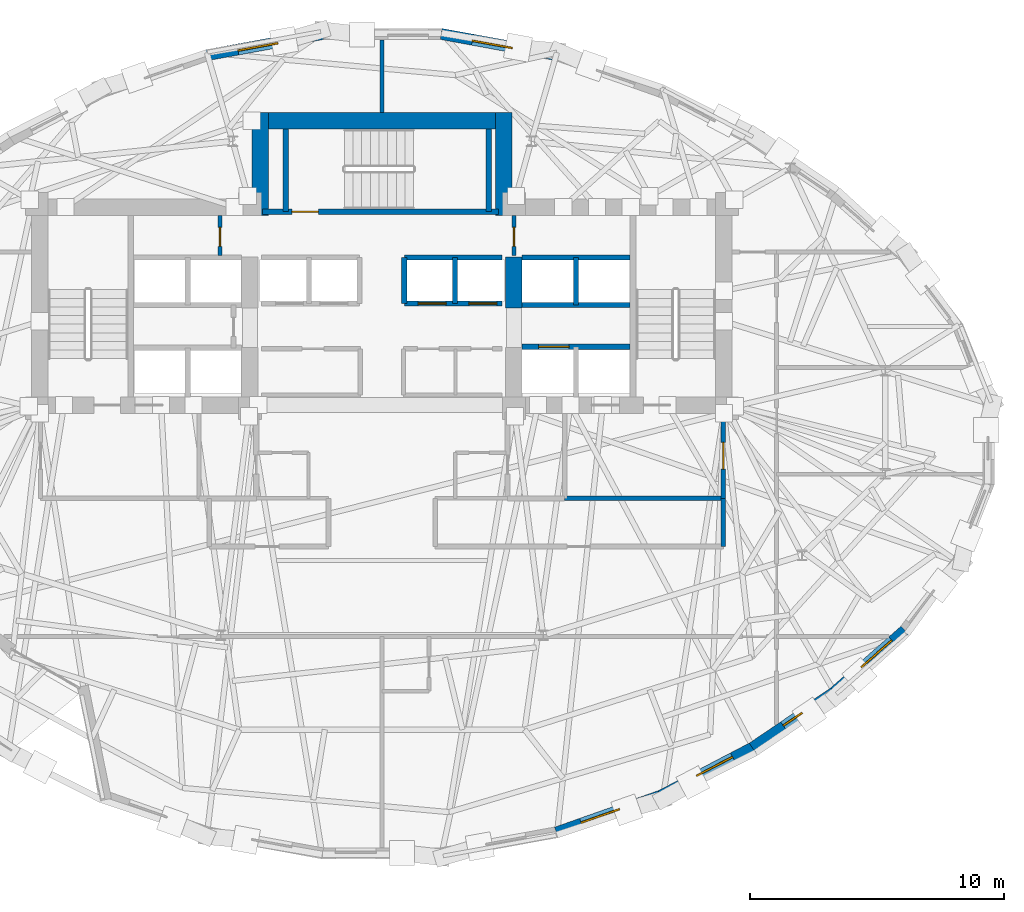
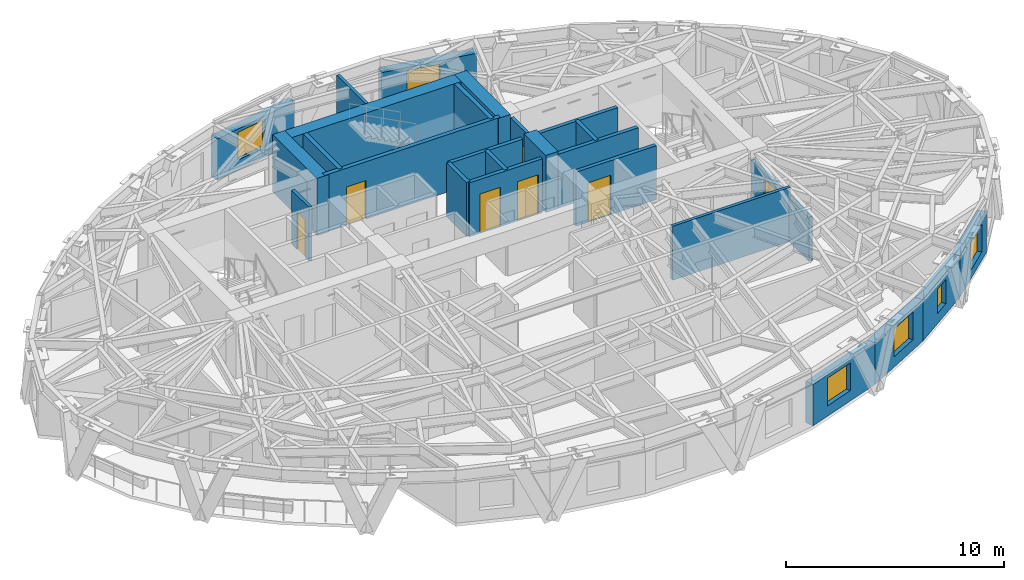
# One storey, part 9 of 15: 27 walls, 7 doors, 6 windows, 13 openings.
"""IFC4 building model written with IfcOpenShell, lengths in metres."""

import ifcopenshell
import ifcopenshell.guid

model = None  # the IFC model being written
_history = None  # IfcOwnerHistory: only IFC2X3 demands one
_inside = {}  # id of a spatial element -> (the spatial element, [elements in it])
_under = {}  # id of a project, library or spatial element -> (it, [spatial elements below it])
_declared = {}  # id of a project -> (the project, [libraries it declares])
_typed = {}  # id of a type object -> (the type object, [elements of that type])
_made_of = {}  # id of a material, layer set ... -> (it, [elements and type objects made of it])


def new_model(schema):
    """Start an empty IFC model of exactly this schema.

    Asked for "IFC4X3", IfcOpenShell would pick the latest addendum, in which some entities
    have other attributes; the version numbers below select the first issue.
    IFC2X3 requires an IfcOwnerHistory on every rooted entity: one is made here for all.
    """
    global model, _history
    if schema == "IFC4X3":
        model = ifcopenshell.file(schema_version=(4, 3, 0, 0))
    else:
        model = ifcopenshell.file(schema=schema)
    _inside.clear()
    _under.clear()
    _declared.clear()
    _typed.clear()
    _made_of.clear()
    _history = None
    if model.schema == "IFC2X3":
        org = make("IfcOrganization", Name="unknown")
        user = make(
            "IfcPersonAndOrganization",
            ThePerson=make("IfcPerson", FamilyName="unknown"),
            TheOrganization=org,
        )
        app = make(
            "IfcApplication",
            ApplicationDeveloper=org,
            Version="unknown",
            ApplicationFullName="unknown",
            ApplicationIdentifier="unknown",
        )
        _history = make(
            "IfcOwnerHistory",
            OwningUser=user,
            OwningApplication=app,
            ChangeAction="ADDED",
            CreationDate=0,
        )
    return model


def make(cls, **values):
    """One entity of the class cls with the attributes given. An attribute that is None is left unset."""
    return model.create_entity(
        cls, **{name: value for name, value in values.items() if value is not None}
    )


def rooted(cls, **values):
    """An entity with a GlobalId (a new one), such as an element, a storey or a relation."""
    return make(cls, GlobalId=ifcopenshell.guid.new(), OwnerHistory=_history, **values)


def si_unit(unit_type, name, prefix=None):
    """IfcSIUnit, for example si_unit("LENGTHUNIT", "METRE", prefix="MILLI")."""
    return make("IfcSIUnit", UnitType=unit_type, Prefix=prefix, Name=name)


def assignment(units):
    """IfcUnitAssignment: the units of a project."""
    return None if units is None else make("IfcUnitAssignment", Units=units)


def point(xyz):
    """IfcCartesianPoint."""
    return None if xyz is None else make("IfcCartesianPoint", Coordinates=xyz)


def direction(xyz):
    """IfcDirection."""
    return None if xyz is None else make("IfcDirection", DirectionRatios=xyz)


def frame(location, z_axis=None, x_axis=None):
    """IfcAxis2Placement3D, a coordinate frame: its origin and axes. An axis left out is left unset."""
    return make(
        "IfcAxis2Placement3D",
        Location=point(location),
        Axis=direction(z_axis),
        RefDirection=direction(x_axis),
    )


def frame_2d(location, x_axis=None):
    """IfcAxis2Placement2D, a coordinate frame in the plane: its origin and x axis."""
    return make(
        "IfcAxis2Placement2D", Location=point(location), RefDirection=direction(x_axis)
    )


def origin():
    """The frame at (0, 0, 0) with its axes left unset."""
    return frame((0.0, 0.0, 0.0))


def place(relative_to, where):
    """IfcLocalPlacement: puts the frame where relative to a parent placement (None: the world)."""
    return make(
        "IfcLocalPlacement", PlacementRelTo=relative_to, RelativePlacement=where
    )


def context(
    kind, dimensions, precision=None, world=None, true_north=None, identifier=None
):
    """IfcGeometricRepresentationContext, for example the 3D "Model" context."""
    return make(
        "IfcGeometricRepresentationContext",
        ContextIdentifier=identifier,
        ContextType=kind,
        CoordinateSpaceDimension=dimensions,
        Precision=precision,
        WorldCoordinateSystem=world,
        TrueNorth=true_north,
    )


def subcontext(parent, identifier, kind, view, scale=None):
    """IfcGeometricRepresentationSubContext, for example "Body" below "Model"."""
    return make(
        "IfcGeometricRepresentationSubContext",
        ContextIdentifier=identifier,
        ContextType=kind,
        ParentContext=parent,
        TargetScale=scale,
        TargetView=view,
    )


def project(units=None, contexts=None):
    """IfcProject with its units and contexts."""
    return rooted(
        "IfcProject",
        Name="project",
        RepresentationContexts=contexts,
        UnitsInContext=assignment(units),
    )


def spatial(cls, under=None, at=None, **own):
    """A site, building, storey or space (cls), placed at a placement, below another one or the project."""
    s = rooted(cls, ObjectPlacement=at, **own)
    if under is not None:
        _under.setdefault(under.id(), (under, []))[1].append(s)
    return s


def profile(cls, at=None, kind="AREA", **sizes):
    """A parametric profile (cls). Its sizes go by their IFC names, for example OverallWidth=200.0."""
    return make(cls, ProfileType=kind, Position=at, **sizes)


def rectangle(**sizes):
    """IfcRectangleProfileDef."""
    return profile("IfcRectangleProfileDef", **sizes)


def extrude(swept, where, along, depth):
    """IfcExtrudedAreaSolid: the profile swept, set in the frame where, extruded along a direction by depth."""
    return make(
        "IfcExtrudedAreaSolid",
        SweptArea=swept,
        Position=where,
        ExtrudedDirection=direction(along),
        Depth=depth,
    )


def shape(context_of_items, identifier, shape_type, items):
    """IfcShapeRepresentation: the items that make up one representation, for example the "Body"."""
    return make(
        "IfcShapeRepresentation",
        ContextOfItems=context_of_items,
        RepresentationIdentifier=identifier,
        RepresentationType=shape_type,
        Items=items,
    )


def material(Name=None, Category=None):
    """IfcMaterial."""
    return make("IfcMaterial", Name=Name, Category=Category)


def layer(
    of_material, thickness, ventilated=None, Name=None, Category=None, Priority=None
):
    """IfcMaterialLayer: one layer of a wall or slab, of a material (None: an air gap)."""
    return make(
        "IfcMaterialLayer",
        Material=of_material,
        LayerThickness=thickness,
        IsVentilated=ventilated,
        Name=Name,
        Category=Category,
        Priority=Priority,
    )


def layer_set(layers, Name=None):
    """IfcMaterialLayerSet."""
    return make("IfcMaterialLayerSet", MaterialLayers=layers, LayerSetName=Name)


def made_of(thing, what):
    """Note that an element or type object is made of a material, layer set ...; save() writes the relation."""
    if what is not None:
        _made_of.setdefault(what.id(), (what, []))[1].append(thing)
    return thing


def type_object(cls, material=None, **own):
    """A type object (cls), such as IfcWallType, which elements share."""
    return made_of(rooted(cls, **own), material)


def element(
    cls,
    number,
    at=None,
    inside=None,
    cuts=None,
    type_object=None,
    material=None,
    context=None,
    identifier="Body",
    shape_type=None,
    held_by="IfcProductDefinitionShape",
    body=None,
    shapes=None,
    **own,
):
    """One element of the class cls, such as IfcWall. Its Tag is "e" and its number.

    at: its placement. inside: the storey or other place that contains it. cuts: it is an
    opening in that element (IfcRelVoidsElement). A single representation is given by context,
    identifier, shape_type and body (its items); several are given by shapes. held_by: the class
    of the entity that holds the representations. save() writes the other relations.
    """
    e = rooted(cls, Tag="e%d" % number, ObjectPlacement=at, **own)
    if body is not None:
        shapes = [shape(context, identifier, shape_type, body)]
    if shapes is not None:
        e.Representation = make(held_by, Representations=shapes)
    if inside is not None:
        _inside.setdefault(inside.id(), (inside, []))[1].append(e)
    if cuts is not None:
        rooted(
            "IfcRelVoidsElement", RelatingBuildingElement=cuts, RelatedOpeningElement=e
        )
    if type_object is not None:
        _typed.setdefault(type_object.id(), (type_object, []))[1].append(e)
    return made_of(e, material)


def fill(opening, filler):
    """IfcRelFillsElement: the door or window that sits in an opening."""
    return rooted(
        "IfcRelFillsElement",
        RelatingOpeningElement=opening,
        RelatedBuildingElement=filler,
    )


def aggregate(whole, parts):
    """IfcRelAggregates: a whole, such as a stair, and the parts it consists of."""
    return rooted("IfcRelAggregates", RelatingObject=whole, RelatedObjects=parts)


def save(model, path):
    """Write the relations noted so far, then the file.

    IfcRelAggregates (storeys below a building ...), IfcRelContainedInSpatialStructure (elements
    in a storey), IfcRelDefinesByType, IfcRelAssociatesMaterial and IfcRelDeclares: one each for
    every whole, place, type object, material and project.
    """
    for whole, parts in _under.values():
        aggregate(whole, parts)
    for where, things in _inside.values():
        rooted(
            "IfcRelContainedInSpatialStructure",
            RelatedElements=things,
            RelatingStructure=where,
        )
    for kind, things in _typed.values():
        rooted("IfcRelDefinesByType", RelatedObjects=things, RelatingType=kind)
    for what, things in _made_of.values():
        rooted("IfcRelAssociatesMaterial", RelatedObjects=things, RelatingMaterial=what)
    for by, libraries in _declared.values():
        rooted("IfcRelDeclares", RelatingContext=by, RelatedDefinitions=libraries)
    model.write(path)


model = new_model("IFC4")

# Units and contexts
model_context = context("Model", 3, precision=1e-05, world=origin(), true_north=direction((0.0, 1.0)))
body_context = subcontext(model_context, "Body", "Model", "MODEL_VIEW")
ifc_project = project(units=[si_unit("LENGTHUNIT", "METRE"), si_unit("AREAUNIT", "SQUARE_METRE"), si_unit("VOLUMEUNIT", "CUBIC_METRE"), si_unit("PLANEANGLEUNIT", "RADIAN"), si_unit("MASSUNIT", "GRAM", prefix="KILO")], contexts=[model_context])

# Site, building, storey
site_placement = place(None, origin())
site = spatial("IfcSite", under=ifc_project, at=site_placement, CompositionType="ELEMENT")
building_placement = place(site_placement, origin())
building = spatial("IfcBuilding", under=site, at=building_placement, Name="Keldmark Tower", CompositionType="ELEMENT")
storey_placement = place(building_placement, frame((0.0, 0.0, 195.0)))
storey = spatial("IfcBuildingStorey", under=building, at=storey_placement, Name="L54", CompositionType="ELEMENT", Elevation=195.0)

# Walls
ifc_material_1 = material(Name="Heavy Acoustic Plumbing Chase Gypsum Assembly", Category="gypsum")
ifc_layer_1 = layer(ifc_material_1, 0.18994140625)
ifc_layer_set_1 = layer_set([ifc_layer_1], Name="Heavy Acoustic Plumbing Chase Gypsum Assembly")
wall_type_1 = type_object("IfcWallType", Name="Heavy Wet Wall 190 mm", PredefinedType="PLUMBINGWALL", material=ifc_layer_set_1)
wall_1_placement = place(storey_placement, frame((13.449951171875, -4.050048828125, 0.0), z_axis=(0.0, 0.0, 1.0), x_axis=(0.0, 1.0, 0.0)))
element("IfcWall", 1, at=wall_1_placement, inside=storey, type_object=wall_type_1, Name="L54 Heavy Wet Wall 190 mm SPK-E-E", PredefinedType="PLUMBINGWALL", context=body_context, shape_type="SweptSolid", body=[
    extrude(rectangle(XDim=1.900146484375, YDim=0.18994140625, at=frame_2d((0.9501953125, 0.0))), origin(), (0.0, 0.0, 1.0), 2.472900390625),
])
ifc_material_2 = material(Name="Type X Fire-Rated Gypsum Partition Assembly", Category="gypsum")
ifc_layer_2 = layer(ifc_material_2, 0.1650390625)
ifc_layer_set_2 = layer_set([ifc_layer_2], Name="Type X Fire-Rated Gypsum Partition Assembly")
wall_type_2 = type_object("IfcWallType", Name="Rated Partition 165 mm", PredefinedType="PARTITIONING", material=ifc_layer_set_2)
wall_2_placement = place(storey_placement, frame((7.199951171875, -2.14990234375, 0.0), z_axis=(0.0, 0.0, 1.0), x_axis=(1.0, 0.0, 0.0)))
element("IfcWall", 2, at=wall_2_placement, inside=storey, type_object=wall_type_2, Name="L54 Rated Partition 165 mm FSAE-E-S", PredefinedType="PARTITIONING", context=body_context, shape_type="SweptSolid", body=[
    extrude(rectangle(XDim=6.25, YDim=0.1650390625, at=frame_2d((3.125, 0.0))), origin(), (0.0, 0.0, 1.0), 3.02001953125),
])

# Wall, opening, door
wall_3_placement = place(storey_placement, frame((13.449951171875, -2.14990234375, 0.0), z_axis=(0.0, 0.0, 1.0), x_axis=(0.0, 1.0, 0.0)))
wall_3 = element("IfcWall", 3, at=wall_3_placement, inside=storey, type_object=wall_type_2, Name="L54 Rated Partition 165 mm FSAE-E-E", PredefinedType="PARTITIONING", context=body_context, shape_type="SweptSolid", body=[
    extrude(rectangle(XDim=3.39990234375, YDim=0.1650390625, at=frame_2d((1.699951171875, 0.0))), origin(), (0.0, 0.0, 1.0), 2.472900390625),
])
opening_1_placement = place(wall_3_placement, frame((1.14990234375, 0.0, 0.0)))
opening_1 = element("IfcOpeningElement", 4, at=opening_1_placement, cuts=wall_3, Name="Opening D-FL105", PredefinedType="OPENING", context=body_context, shape_type="SweptSolid", body=[
    extrude(rectangle(XDim=1.050048828125, YDim=2.14990234375, at=frame_2d((0.52490234375, 1.074951171875))), frame((0.0, 0.092529296875, 0.0), z_axis=(0.0, -1.0, 0.0), x_axis=(1.0, 0.0, 0.0)), (0.0, 0.0, 1.0), 0.18505859375),
])
ifc_material_3 = material(Name="Fire-Rated Mineral-Core Door and Vision Lite", Category="metal")
door_type_1 = type_object("IfcDoorType", Name="Fire Lobby Door 1050x2150", OperationType="NOTDEFINED", PredefinedType="DOOR", material=ifc_material_3)
door_1_placement = place(opening_1_placement, origin())
door_1 = element("IfcDoor", 5, at=door_1_placement, inside=storey, type_object=door_type_1, Name="L54 Fire Lobby Door 1050x2150 D-FSAEE-OUT-L54", OperationType="SINGLE_SWING_LEFT", OverallHeight=2.14990234375, OverallWidth=1.050048828125, PredefinedType="DOOR", context=body_context, shape_type="SweptSolid", body=[
    extrude(rectangle(XDim=1.050048828125, YDim=2.14990234375, at=frame_2d((0.52490234375, 1.074951171875))), frame((0.0, 0.02490234375, 0.0), z_axis=(0.0, -1.0, 0.0), x_axis=(1.0, 0.0, 0.0)), (0.0, 0.0, 1.0), 0.050048828125),
])
fill(opening_1, door_1)

wall_4_placement = place(storey_placement, frame((-6.3798828125, 7.419921875, 0.0), z_axis=(0.0, 0.0, 1.0), x_axis=(0.0, 1.0, 0.0)))
wall_4 = element("IfcWall", 6, at=wall_4_placement, inside=storey, type_object=wall_type_2, Name="L54 Rated Partition 165 mm CS-NW-E", PredefinedType="PARTITIONING", context=body_context, shape_type="SweptSolid", body=[
    extrude(rectangle(XDim=1.580078125, YDim=0.1650390625, at=frame_2d((0.7900390625, 0.0))), origin(), (0.0, 0.0, 1.0), 3.02001953125),
])
opening_2_placement = place(wall_4_placement, frame((0.35009765625, 0.0, 0.0)))
opening_2 = element("IfcOpeningElement", 7, at=opening_2_placement, cuts=wall_4, Name="Opening D-RS075", PredefinedType="OPENING", context=body_context, shape_type="SweptSolid", body=[
    extrude(rectangle(XDim=0.75, YDim=2.10009765625, at=frame_2d((0.375, 1.050048828125))), frame((0.0, 0.092529296875, 0.0), z_axis=(0.0, -1.0, 0.0), x_axis=(1.0, 0.0, 0.0)), (0.0, 0.0, 1.0), 0.18505859375),
])
ifc_material_4 = material(Name="Galvanized Fire-Rated Access Leaf", Category="metal")
door_type_2 = type_object("IfcDoorType", Name="Riser Access Door 750x2100", OperationType="NOTDEFINED", PredefinedType="DOOR", material=ifc_material_4)
door_2_placement = place(opening_2_placement, origin())
door_2 = element("IfcDoor", 8, at=door_2_placement, inside=storey, type_object=door_type_2, Name="L54 Riser Access Door 750x2100 D-CSNW1-L54", OperationType="SINGLE_SWING_RIGHT", OverallHeight=2.10009765625, OverallWidth=0.75, PredefinedType="DOOR", context=body_context, shape_type="SweptSolid", body=[
    extrude(rectangle(XDim=0.75, YDim=2.10009765625, at=frame_2d((0.375, 1.050048828125))), frame((0.0, 0.02490234375, 0.0), z_axis=(0.0, -1.0, 0.0), x_axis=(1.0, 0.0, 0.0)), (0.0, 0.0, 1.0), 0.050048828125),
])
fill(opening_2, door_2)

wall_5_placement = place(storey_placement, frame((5.199951171875, 7.419921875, 0.0), z_axis=(0.0, 0.0, 1.0), x_axis=(0.0, 1.0, 0.0)))
wall_5 = element("IfcWall", 9, at=wall_5_placement, inside=storey, type_object=wall_type_2, Name="L54 Rated Partition 165 mm CS-NE-W", PredefinedType="PARTITIONING", context=body_context, shape_type="SweptSolid", body=[
    extrude(rectangle(XDim=1.580078125, YDim=0.1650390625, at=frame_2d((0.7900390625, 0.0))), origin(), (0.0, 0.0, 1.0), 3.02001953125),
])
opening_3_placement = place(wall_5_placement, frame((0.35009765625, 0.0, 0.0)))
opening_3 = element("IfcOpeningElement", 10, at=opening_3_placement, cuts=wall_5, Name="Opening D-RS075", PredefinedType="OPENING", context=body_context, shape_type="SweptSolid", body=[
    extrude(rectangle(XDim=0.75, YDim=2.10009765625, at=frame_2d((0.375, 1.050048828125))), frame((0.0, 0.092529296875, 0.0), z_axis=(0.0, -1.0, 0.0), x_axis=(1.0, 0.0, 0.0)), (0.0, 0.0, 1.0), 0.18505859375),
])
door_3_placement = place(opening_3_placement, origin())
door_3 = element("IfcDoor", 11, at=door_3_placement, inside=storey, type_object=door_type_2, Name="L54 Riser Access Door 750x2100 D-CSNE1-L54", OperationType="SINGLE_SWING_LEFT", OverallHeight=2.10009765625, OverallWidth=0.75, PredefinedType="DOOR", context=body_context, shape_type="SweptSolid", body=[
    extrude(rectangle(XDim=0.75, YDim=2.10009765625, at=frame_2d((0.375, 1.050048828125))), frame((0.0, 0.02490234375, 0.0), z_axis=(0.0, -1.0, 0.0), x_axis=(1.0, 0.0, 0.0)), (0.0, 0.0, 1.0), 0.050048828125),
])
fill(opening_3, door_3)

# Wall
wall_6_placement = place(storey_placement, frame((0.0, 13.050048828125, 0.0), z_axis=(0.0, 0.0, 1.0), x_axis=(0.0, 1.0, 0.0)))
element("IfcWall", 12, at=wall_6_placement, inside=storey, type_object=wall_type_2, Name="L54 Rated Partition 165 mm HN-DIV", PredefinedType="PARTITIONING", context=body_context, shape_type="SweptSolid", body=[
    extrude(rectangle(XDim=2.8603515625, YDim=0.1650390625, at=frame_2d((1.43017578125, 0.0))), origin(), (0.0, 0.0, 1.0), 3.02001953125),
])

# Wall, opening, door
ifc_material_5 = material(Name="Fire-Resistant Type X Gypsum Shaftliner Coreboard", Category="gypsum")
ifc_layer_3 = layer(ifc_material_5, 0.199951171875)
ifc_layer_set_3 = layer_set([ifc_layer_3], Name="Fire-Resistant Type X Gypsum Shaftliner Coreboard")
wall_type_3 = type_object("IfcWallType", Name="Shaft Wall 200 mm", PredefinedType="SOLIDWALL", material=ifc_layer_set_3)
wall_7_placement = place(storey_placement, frame((5.52490234375, 3.820068359375, 0.0), z_axis=(0.0, 0.0, 1.0), x_axis=(1.0, 0.0, 0.0)))
wall_7 = element("IfcWall", 13, at=wall_7_placement, inside=storey, type_object=wall_type_3, Name="L54 Shaft Wall 200 mm HW-E-S", PredefinedType="SOLIDWALL", context=body_context, shape_type="SweptSolid", body=[
    extrude(rectangle(XDim=4.255126953125, YDim=0.199951171875, at=frame_2d((2.12744140625, 0.0))), origin(), (0.0, 0.0, 1.0), 3.02001953125),
])
opening_4_placement = place(wall_7_placement, frame((0.64990234375, 0.0, 0.0)))
opening_4 = element("IfcOpeningElement", 14, at=opening_4_placement, cuts=wall_7, Name="Opening LD-120", PredefinedType="OPENING", context=body_context, shape_type="SweptSolid", body=[
    extrude(rectangle(XDim=1.199951171875, YDim=2.199951171875, at=frame_2d((0.60009765625, 1.10009765625))), frame((0.0, 0.10986328125, 0.0), z_axis=(0.0, -1.0, 0.0), x_axis=(1.0, 0.0, 0.0)), (0.0, 0.0, 1.0), 0.219970703125),
])
ifc_material_6 = material(Name="Heavy-Duty Brushed Metal Hoistway Sliding Leaf", Category="metal")
door_type_3 = type_object("IfcDoorType", Name="Service Lift Sliding Door 1200x2200", OperationType="SLIDING_TO_RIGHT", PredefinedType="DOOR", material=ifc_material_6)
door_4_placement = place(opening_4_placement, origin())
door_4 = element("IfcDoor", 15, at=door_4_placement, inside=storey, type_object=door_type_3, Name="L54 Service Lift Sliding Door 1200x2200 LD-EL-SV1-L54", OperationType="SLIDING_TO_RIGHT", OverallHeight=2.199951171875, OverallWidth=1.199951171875, PredefinedType="DOOR", context=body_context, shape_type="SweptSolid", body=[
    extrude(rectangle(XDim=1.199951171875, YDim=2.199951171875, at=frame_2d((0.60009765625, 1.10009765625))), frame((0.0, 0.02490234375, 0.0), z_axis=(0.0, -1.0, 0.0), x_axis=(1.0, 0.0, 0.0)), (0.0, 0.0, 1.0), 0.050048828125),
])
fill(opening_4, door_4)

# Walls
for number, where, z_axis, x_axis, name in (
    (16, (5.52490234375, 5.469970703125, 0.0), (0.0, 0.0, 1.0), (1.0, 0.0, 0.0), "L54 Shaft Wall 200 mm HW-E-N"),
    (17, (5.52490234375, 7.330078125, 0.0), (0.0, 0.0, 1.0), (1.0, 0.0, 0.0), "L54 Shaft Wall 200 mm HW-E-TOP"),
):
    element("IfcWall", number, at=place(storey_placement, frame(where, z_axis=z_axis, x_axis=x_axis)), inside=storey, type_object=wall_type_3, Name=name, PredefinedType="SOLIDWALL", context=body_context, shape_type="SweptSolid", body=[
        extrude(rectangle(XDim=4.255126953125, YDim=0.199951171875, at=frame_2d((2.12744140625, 0.0))), origin(), (0.0, 0.0, 1.0), 3.02001953125),
    ])
wall_8_placement = place(storey_placement, frame((7.64990234375, 5.469970703125, 0.0), z_axis=(0.0, 0.0, 1.0), x_axis=(0.0, 1.0, 0.0)))
element("IfcWall", 18, at=wall_8_placement, inside=storey, type_object=wall_type_3, Name="L54 Shaft Wall 200 mm HW-E-NM", PredefinedType="SOLIDWALL", context=body_context, shape_type="SweptSolid", body=[
    extrude(rectangle(XDim=1.860107421875, YDim=0.199951171875, at=frame_2d((0.93017578125, 0.0))), origin(), (0.0, 0.0, 1.0), 3.02001953125),
])

# Wall, openings, doors
wall_9_placement = place(storey_placement, frame((0.8798828125, 5.52001953125, 0.0), z_axis=(0.0, 0.0, 1.0), x_axis=(1.0, 0.0, 0.0)))
wall_9 = element("IfcWall", 19, at=wall_9_placement, inside=storey, type_object=wall_type_3, Name="L54 Shaft Wall 200 mm MID-S-E", PredefinedType="SOLIDWALL", context=body_context, shape_type="SweptSolid", body=[
    extrude(rectangle(XDim=3.860107421875, YDim=0.199951171875, at=frame_2d((1.93017578125, 0.0))), origin(), (0.0, 0.0, 1.0), 3.02001953125),
])
opening_5_placement = place(wall_9_placement, frame((0.550048828125, 0.0, 0.0)))
opening_5 = element("IfcOpeningElement", 20, at=opening_5_placement, cuts=wall_9, Name="Opening LD-110", PredefinedType="OPENING", context=body_context, shape_type="SweptSolid", body=[
    extrude(rectangle(XDim=1.10009765625, YDim=2.199951171875, at=frame_2d((0.550048828125, 1.10009765625))), frame((0.0, 0.10986328125, 0.0), z_axis=(0.0, -1.0, 0.0), x_axis=(1.0, 0.0, 0.0)), (0.0, 0.0, 1.0), 0.219970703125),
])
opening_6_placement = place(wall_9_placement, frame((2.550048828125, 0.0, 0.0)))
opening_6 = element("IfcOpeningElement", 21, at=opening_6_placement, cuts=wall_9, Name="Opening LD-110", PredefinedType="OPENING", context=body_context, shape_type="SweptSolid", body=[
    extrude(rectangle(XDim=1.10009765625, YDim=2.199951171875, at=frame_2d((0.550048828125, 1.10009765625))), frame((0.0, 0.10986328125, 0.0), z_axis=(0.0, -1.0, 0.0), x_axis=(1.0, 0.0, 0.0)), (0.0, 0.0, 1.0), 0.219970703125),
])
ifc_material_7 = material(Name="Brushed Bronze Hoistway Sliding Leaf", Category="metal")
door_type_4 = type_object("IfcDoorType", Name="Lift Landing Sliding Door 1100x2200", OperationType="SLIDING_TO_LEFT", PredefinedType="DOOR", material=ifc_material_7)
door_5_placement = place(opening_5_placement, origin())
door_5 = element("IfcDoor", 22, at=door_5_placement, inside=storey, type_object=door_type_4, Name="L54 Lift Landing Sliding Door 1100x2200 LD-EL-M3-L54", OperationType="SLIDING_TO_LEFT", OverallHeight=2.199951171875, OverallWidth=1.10009765625, PredefinedType="DOOR", context=body_context, shape_type="SweptSolid", body=[
    extrude(rectangle(XDim=1.10009765625, YDim=2.199951171875, at=frame_2d((0.550048828125, 1.10009765625))), frame((0.0, 0.02490234375, 0.0), z_axis=(0.0, -1.0, 0.0), x_axis=(1.0, 0.0, 0.0)), (0.0, 0.0, 1.0), 0.050048828125),
])
fill(opening_5, door_5)
door_6_placement = place(opening_6_placement, origin())
door_6 = element("IfcDoor", 23, at=door_6_placement, inside=storey, type_object=door_type_4, Name="L54 Lift Landing Sliding Door 1100x2200 LD-EL-M4-L54", OperationType="SLIDING_TO_LEFT", OverallHeight=2.199951171875, OverallWidth=1.10009765625, PredefinedType="DOOR", context=body_context, shape_type="SweptSolid", body=[
    extrude(rectangle(XDim=1.10009765625, YDim=2.199951171875, at=frame_2d((0.550048828125, 1.10009765625))), frame((0.0, 0.02490234375, 0.0), z_axis=(0.0, -1.0, 0.0), x_axis=(1.0, 0.0, 0.0)), (0.0, 0.0, 1.0), 0.050048828125),
])
fill(opening_6, door_6)

# Walls
wall_10_placement = place(storey_placement, frame((0.8798828125, 7.330078125, 0.0), z_axis=(0.0, 0.0, 1.0), x_axis=(1.0, 0.0, 0.0)))
element("IfcWall", 24, at=wall_10_placement, inside=storey, type_object=wall_type_3, Name="L54 Shaft Wall 200 mm MID-N-E", PredefinedType="SOLIDWALL", context=body_context, shape_type="SweptSolid", body=[
    extrude(rectangle(XDim=3.860107421875, YDim=0.199951171875, at=frame_2d((1.93017578125, 0.0))), origin(), (0.0, 0.0, 1.0), 3.02001953125),
])
for number, where, z_axis, x_axis, name in (
    (25, (2.8798828125, 5.52001953125, 0.0), (0.0, 0.0, 1.0), (0.0, 1.0, 0.0), "L54 Shaft Wall 200 mm MID-M-E"),
    (26, (0.8798828125, 5.52001953125, 0.0), (0.0, 0.0, 1.0), (0.0, 1.0, 0.0), "L54 Shaft Wall 200 mm MID-C-E"),
):
    element("IfcWall", number, at=place(storey_placement, frame(where, z_axis=z_axis, x_axis=x_axis)), inside=storey, type_object=wall_type_3, Name=name, PredefinedType="SOLIDWALL", context=body_context, shape_type="SweptSolid", body=[
        extrude(rectangle(XDim=1.81005859375, YDim=0.199951171875, at=frame_2d((0.905029296875, 0.0))), origin(), (0.0, 0.0, 1.0), 3.02001953125),
    ])

# Wall, opening, door
ifc_material_8 = material(Name="Concrete C50/60", Category="concrete")
ifc_layer_4 = layer(ifc_material_8, 0.219970703125)
ifc_layer_set_4 = layer_set([ifc_layer_4], Name="Concrete C50/60")
wall_type_4 = type_object("IfcWallType", Name="Stair Core Shear Wall 220 mm", PredefinedType="SHEAR", material=ifc_layer_set_4)
wall_11_placement = place(storey_placement, frame((-4.699951171875, 9.139892578125, 0.0), z_axis=(0.0, 0.0, 1.0), x_axis=(1.0, 0.0, 0.0)))
wall_11 = element("IfcWall", 27, at=wall_11_placement, inside=storey, type_object=wall_type_4, Name="L54 Central Stair Core South Shear Wall", PredefinedType="SHEAR", context=body_context, shape_type="SweptSolid", body=[
    extrude(rectangle(XDim=9.300048828125, YDim=0.219970703125, at=frame_2d((4.64990234375, 0.0))), origin(), (0.0, 0.0, 1.0), 3.199951171875),
])
opening_7_placement = place(wall_11_placement, frame((1.14990234375, 0.0, 0.0)))
opening_7 = element("IfcOpeningElement", 28, at=opening_7_placement, cuts=wall_11, Name="Opening D-ST105", PredefinedType="OPENING", context=body_context, shape_type="SweptSolid", body=[
    extrude(rectangle(XDim=1.050048828125, YDim=2.14990234375, at=frame_2d((0.52490234375, 1.074951171875))), frame((0.0, 0.119873046875, 0.0), z_axis=(0.0, -1.0, 0.0), x_axis=(1.0, 0.0, 0.0)), (0.0, 0.0, 1.0), 0.239990234375),
])
ifc_material_9 = material(Name="Hollow Metal Fire-Rated Door Assembly", Category="metal")
door_type_5 = type_object("IfcDoorType", Name="Stair Fire Door 1050x2150", OperationType="NOTDEFINED", PredefinedType="DOOR", material=ifc_material_9)
door_7_placement = place(opening_7_placement, origin())
door_7 = element("IfcDoor", 29, at=door_7_placement, inside=storey, type_object=door_type_5, Name="L54 Stair Fire Door 1050x2150 D-ST3-L54", OperationType="SINGLE_SWING_RIGHT", OverallHeight=2.14990234375, OverallWidth=1.050048828125, PredefinedType="DOOR", context=body_context, shape_type="SweptSolid", body=[
    extrude(rectangle(XDim=1.050048828125, YDim=2.14990234375, at=frame_2d((0.52490234375, 1.074951171875))), frame((0.0, 0.02490234375, 0.0), z_axis=(0.0, -1.0, 0.0), x_axis=(1.0, 0.0, 0.0)), (0.0, 0.0, 1.0), 0.050048828125),
])
fill(opening_7, door_7)

# Walls
for number, where, z_axis, x_axis, name in (
    (30, (-3.784912109375, 9.139892578125, 0.0), (0.0, 0.0, 1.0), (0.0, 1.0, 0.0), "L54 Central Stair Core West Shear Wall"),
    (31, (4.215087890625, 9.139892578125, 0.0), (0.0, 0.0, 1.0), (0.0, 1.0, 0.0), "L54 Central Stair Core East Shear Wall"),
):
    element("IfcWall", number, at=place(storey_placement, frame(where, z_axis=z_axis, x_axis=x_axis)), inside=storey, type_object=wall_type_4, Name=name, PredefinedType="SHEAR", context=body_context, shape_type="SweptSolid", body=[
        extrude(rectangle(XDim=3.260009765625, YDim=0.219970703125, at=frame_2d((1.6298828125, 0.0))), origin(), (0.0, 0.0, 1.0), 3.199951171875),
    ])

# Wall, opening, window
ifc_material_10 = material(Name="Ironspot Manganese Brick and Kasota Buff Limestone Spandrel Assembly", Category="masonry")
ifc_layer_5 = layer(ifc_material_10, 0.43994140625)
ifc_layer_set_5 = layer_set([ifc_layer_5], Name="Ironspot Manganese Brick and Kasota Buff Limestone Spandrel Assembly")
wall_type_5 = type_object("IfcWallType", Name="Tower Brick Pier and Spandrel Wall 440 mm", PredefinedType="STANDARD", material=ifc_layer_set_5)
wall_12_placement = place(storey_placement, frame((2.3369140625, 16.141845703125, 0.0), z_axis=(0.0, 0.0, 1.0), x_axis=(0.983691132349, -0.179865939348, 0.0)))
wall_12 = element("IfcWall", 32, at=wall_12_placement, inside=storey, type_object=wall_type_5, Name="L54 Exterior Brick and Spandrel Wall 07", PredefinedType="STANDARD", context=body_context, shape_type="SweptSolid", body=[
    extrude(rectangle(XDim=4.644775390625, YDim=0.43994140625, at=frame_2d((2.322265625, 0.0))), origin(), (0.0, 0.0, 1.0), 2.31494140625),
])
opening_8_placement = place(wall_12_placement, frame((1.248046875, 0.0, 0.580078125)))
opening_8 = element("IfcOpeningElement", 33, at=opening_8_placement, cuts=wall_12, Name="Opening W-04", PredefinedType="OPENING", context=body_context, shape_type="SweptSolid", body=[
    extrude(rectangle(XDim=1.60009765625, YDim=1.550048828125, at=frame_2d((0.800048828125, 0.77490234375))), frame((0.0, 0.22998046875, 0.0), z_axis=(0.0, -1.0, 0.0), x_axis=(1.0, 0.0, 0.0)), (0.0, 0.0, 1.0), 0.4599609375),
])
ifc_material_11 = material(Name="Thermally Broken Anodized Aluminum and Triple Low-E Argon Glazing", Category="aluminium")
window_type_1 = type_object("IfcWindowType", Name="Hotel Deep-Set Operable Window 1600x1550", PartitioningType="DOUBLE_PANEL_HORIZONTAL", PredefinedType="WINDOW", material=ifc_material_11)
window_1_placement = place(opening_8_placement, origin())
window_1 = element("IfcWindow", 34, at=window_1_placement, inside=storey, type_object=window_type_1, Name="L54 Deep-Set Window 07", OverallHeight=1.550048828125, OverallWidth=1.60009765625, PartitioningType="SINGLE_PANEL", PredefinedType="WINDOW", context=body_context, shape_type="SweptSolid", body=[
    extrude(rectangle(XDim=1.60009765625, YDim=1.550048828125, at=frame_2d((0.800048828125, 0.77490234375))), frame((0.0, -0.010009765625, 0.0), z_axis=(0.0, -1.0, 0.0), x_axis=(1.0, 0.0, 0.0)), (0.0, 0.0, 1.0), 0.06005859375),
])
fill(opening_8, window_1)

wall_13_placement = place(storey_placement, frame((-6.906005859375, 15.306396484375, 0.0), z_axis=(0.0, 0.0, 1.0), x_axis=(0.983691132349, 0.179865939348, 0.0)))
wall_13 = element("IfcWall", 35, at=wall_13_placement, inside=storey, type_object=wall_type_5, Name="L54 Exterior Brick and Spandrel Wall 09", PredefinedType="STANDARD", context=body_context, shape_type="SweptSolid", body=[
    extrude(rectangle(XDim=4.644775390625, YDim=0.43994140625, at=frame_2d((2.322265625, 0.0))), origin(), (0.0, 0.0, 1.0), 2.31494140625),
])
opening_9_placement = place(wall_13_placement, frame((1.248046875, 0.0, 0.580078125)))
opening_9 = element("IfcOpeningElement", 36, at=opening_9_placement, cuts=wall_13, Name="Opening W-04", PredefinedType="OPENING", context=body_context, shape_type="SweptSolid", body=[
    extrude(rectangle(XDim=1.60009765625, YDim=1.550048828125, at=frame_2d((0.800048828125, 0.77490234375))), frame((0.0, 0.22998046875, 0.0), z_axis=(0.0, -1.0, 0.0), x_axis=(1.0, 0.0, 0.0)), (0.0, 0.0, 1.0), 0.4599609375),
])
window_2_placement = place(opening_9_placement, origin())
window_2 = element("IfcWindow", 37, at=window_2_placement, inside=storey, type_object=window_type_1, Name="L54 Deep-Set Window 09", OverallHeight=1.550048828125, OverallWidth=1.60009765625, PartitioningType="SINGLE_PANEL", PredefinedType="WINDOW", context=body_context, shape_type="SweptSolid", body=[
    extrude(rectangle(XDim=1.60009765625, YDim=1.550048828125, at=frame_2d((0.800048828125, 0.77490234375))), frame((0.0, -0.010009765625, 0.0), z_axis=(0.0, -1.0, 0.0), x_axis=(1.0, 0.0, 0.0)), (0.0, 0.0, 1.0), 0.06005859375),
])
fill(opening_9, window_2)

wall_14_placement = place(storey_placement, frame((11.01416015625, -13.855224609375, 0.0), z_axis=(0.0, 0.0, 1.0), x_axis=(-0.943100102185, -0.332508943125, 0.0)))
wall_14 = element("IfcWall", 38, at=wall_14_placement, inside=storey, type_object=wall_type_5, Name="L54 Exterior Brick and Spandrel Wall 26", PredefinedType="STANDARD", context=body_context, shape_type="SweptSolid", body=[
    extrude(rectangle(XDim=4.391357421875, YDim=0.43994140625, at=frame_2d((2.19580078125, 0.0))), origin(), (0.0, 0.0, 1.0), 2.31494140625),
])
opening_10_placement = place(wall_14_placement, frame((1.744384765625, 0.0, 0.580078125)))
opening_10 = element("IfcOpeningElement", 39, at=opening_10_placement, cuts=wall_14, Name="Opening W-04", PredefinedType="OPENING", context=body_context, shape_type="SweptSolid", body=[
    extrude(rectangle(XDim=1.60009765625, YDim=1.550048828125, at=frame_2d((0.800048828125, 0.77490234375))), frame((0.0, 0.22998046875, 0.0), z_axis=(0.0, -1.0, 0.0), x_axis=(1.0, 0.0, 0.0)), (0.0, 0.0, 1.0), 0.4599609375),
])
window_3_placement = place(opening_10_placement, origin())
window_3 = element("IfcWindow", 40, at=window_3_placement, inside=storey, type_object=window_type_1, Name="L54 Deep-Set Window 26", OverallHeight=1.550048828125, OverallWidth=1.60009765625, PartitioningType="SINGLE_PANEL", PredefinedType="WINDOW", context=body_context, shape_type="SweptSolid", body=[
    extrude(rectangle(XDim=1.60009765625, YDim=1.550048828125, at=frame_2d((0.800048828125, 0.77490234375))), frame((0.0, -0.010009765625, 0.0), z_axis=(0.0, -1.0, 0.0), x_axis=(1.0, 0.0, 0.0)), (0.0, 0.0, 1.0), 0.06005859375),
])
fill(opening_10, window_3)

wall_15_placement = place(storey_placement, frame((14.61669921875, -11.964111328125, 0.0), z_axis=(0.0, 0.0, 1.0), x_axis=(-0.885676487837, -0.464302874094, 0.0)))
wall_15 = element("IfcWall", 41, at=wall_15_placement, inside=storey, type_object=wall_type_5, Name="L54 Exterior Brick and Spandrel Wall 27", PredefinedType="STANDARD", context=body_context, shape_type="SweptSolid", body=[
    extrude(rectangle(XDim=4.100341796875, YDim=0.43994140625, at=frame_2d((2.05029296875, 0.0))), origin(), (0.0, 0.0, 1.0), 2.31494140625),
])
opening_11_placement = place(wall_15_placement, frame((0.8837890625, 0.0, 0.580078125)))
opening_11 = element("IfcOpeningElement", 42, at=opening_11_placement, cuts=wall_15, Name="Opening W-04", PredefinedType="OPENING", context=body_context, shape_type="SweptSolid", body=[
    extrude(rectangle(XDim=1.60009765625, YDim=1.550048828125, at=frame_2d((0.800048828125, 0.77490234375))), frame((0.0, 0.22998046875, 0.0), z_axis=(0.0, -1.0, 0.0), x_axis=(1.0, 0.0, 0.0)), (0.0, 0.0, 1.0), 0.4599609375),
])
window_4_placement = place(opening_11_placement, origin())
window_4 = element("IfcWindow", 43, at=window_4_placement, inside=storey, type_object=window_type_1, Name="L54 Deep-Set Window 27", OverallHeight=1.550048828125, OverallWidth=1.60009765625, PartitioningType="SINGLE_PANEL", PredefinedType="WINDOW", context=body_context, shape_type="SweptSolid", body=[
    extrude(rectangle(XDim=1.60009765625, YDim=1.550048828125, at=frame_2d((0.800048828125, 0.77490234375))), frame((0.0, -0.010009765625, 0.0), z_axis=(0.0, -1.0, 0.0), x_axis=(1.0, 0.0, 0.0)), (0.0, 0.0, 1.0), 0.06005859375),
])
fill(opening_11, window_4)

wall_16_placement = place(storey_placement, frame((17.811279296875, -9.796630859375, 0.0), z_axis=(0.0, 0.0, 1.0), x_axis=(-0.827704046296, -0.561164870377, 0.0)))
wall_16 = element("IfcWall", 44, at=wall_16_placement, inside=storey, type_object=wall_type_5, Name="L54 Exterior Brick and Spandrel Wall 28", PredefinedType="STANDARD", context=body_context, shape_type="SweptSolid", body=[
    extrude(rectangle(XDim=3.885498046875, YDim=0.43994140625, at=frame_2d((1.94287109375, 0.0))), origin(), (0.0, 0.0, 1.0), 2.31494140625),
])
opening_12_placement = place(wall_16_placement, frame((1.492919921875, 0.0, 0.580078125)))
opening_12 = element("IfcOpeningElement", 45, at=opening_12_placement, cuts=wall_16, Name="Opening W-09", PredefinedType="OPENING", context=body_context, shape_type="SweptSolid", body=[
    extrude(rectangle(XDim=0.89990234375, YDim=1.35009765625, at=frame_2d((0.449951171875, 0.675048828125))), frame((0.0, 0.22998046875, 0.0), z_axis=(0.0, -1.0, 0.0), x_axis=(1.0, 0.0, 0.0)), (0.0, 0.0, 1.0), 0.4599609375),
])
ifc_material_12 = material(Name="Thermally Broken Anodized Aluminum and Triple Low-E Argon Glazing", Category="aluminium")
window_type_2 = type_object("IfcWindowType", Name="Corner Pier Deep-Set Window 900x1350", PartitioningType="SINGLE_PANEL", PredefinedType="WINDOW", material=ifc_material_12)
window_5_placement = place(opening_12_placement, origin())
window_5 = element("IfcWindow", 46, at=window_5_placement, inside=storey, type_object=window_type_2, Name="L54 Deep-Set Window 28", OverallHeight=1.35009765625, OverallWidth=0.89990234375, PartitioningType="SINGLE_PANEL", PredefinedType="WINDOW", context=body_context, shape_type="SweptSolid", body=[
    extrude(rectangle(XDim=0.89990234375, YDim=1.35009765625, at=frame_2d((0.449951171875, 0.675048828125))), frame((0.0, -0.010009765625, 0.0), z_axis=(0.0, -1.0, 0.0), x_axis=(1.0, 0.0, 0.0)), (0.0, 0.0, 1.0), 0.06005859375),
])
fill(opening_12, window_5)

wall_17_placement = place(storey_placement, frame((20.597900390625, -7.351318359375, 0.0), z_axis=(0.0, 0.0, 1.0), x_axis=(-0.751936480142, -0.65923556475, 0.0)))
wall_17 = element("IfcWall", 47, at=wall_17_placement, inside=storey, type_object=wall_type_5, Name="L54 Exterior Brick and Spandrel Wall 29", PredefinedType="STANDARD", context=body_context, shape_type="SweptSolid", body=[
    extrude(rectangle(XDim=3.734619140625, YDim=0.43994140625, at=frame_2d((1.8671875, 0.0))), origin(), (0.0, 0.0, 1.0), 2.31494140625),
])
opening_13_placement = place(wall_17_placement, frame((0.64599609375, 0.0, 0.47998046875)))
opening_13 = element("IfcOpeningElement", 48, at=opening_13_placement, cuts=wall_17, Name="Opening W-04", PredefinedType="OPENING", context=body_context, shape_type="SweptSolid", body=[
    extrude(rectangle(XDim=1.60009765625, YDim=1.550048828125, at=frame_2d((0.800048828125, 0.77490234375))), frame((0.0, 0.22998046875, 0.0), z_axis=(0.0, -1.0, 0.0), x_axis=(1.0, 0.0, 0.0)), (0.0, 0.0, 1.0), 0.4599609375),
])
window_6_placement = place(opening_13_placement, origin())
window_6 = element("IfcWindow", 49, at=window_6_placement, inside=storey, type_object=window_type_1, Name="L54 Deep-Set Window 29", OverallHeight=1.550048828125, OverallWidth=1.60009765625, PartitioningType="SINGLE_PANEL", PredefinedType="WINDOW", context=body_context, shape_type="SweptSolid", body=[
    extrude(rectangle(XDim=1.60009765625, YDim=1.550048828125, at=frame_2d((0.800048828125, 0.77490234375))), frame((0.0, -0.010009765625, 0.0), z_axis=(0.0, -1.0, 0.0), x_axis=(1.0, 0.0, 0.0)), (0.0, 0.0, 1.0), 0.06005859375),
])
fill(opening_13, window_6)

# Walls
ifc_material_13 = material(Name="Concrete C50/60", Category="concrete")
ifc_layer_6 = layer(ifc_material_13, 0.64990234375)
ifc_layer_set_6 = layer_set([ifc_layer_6], Name="Concrete C50/60")
wall_type_6 = type_object("IfcWallType", Name="Upper-Mid Core Shear Wall 650 mm", PredefinedType="SHEAR", material=ifc_layer_set_6)
wall_18_placement = place(storey_placement, frame((5.199951171875, 5.35009765625, 0.0), z_axis=(0.0, 0.0, 1.0), x_axis=(0.0, 1.0, 0.0)))
element("IfcWall", 50, at=wall_18_placement, inside=storey, type_object=wall_type_6, Name="L54 East Core Inner Shear Pier North", PredefinedType="SHEAR", context=body_context, shape_type="SweptSolid", body=[
    extrude(rectangle(XDim=2.0, YDim=0.64990234375, at=frame_2d((1.0, 0.0))), origin(), (0.0, 0.0, 1.0), 3.199951171875),
])
wall_19_placement = place(storey_placement, frame((-5.125, 12.72509765625, 0.0), z_axis=(0.0, 0.0, 1.0), x_axis=(1.0, 0.0, 0.0)))
element("IfcWall", 51, at=wall_19_placement, inside=storey, type_object=wall_type_6, Name="L54 North Core Shear Wall", PredefinedType="SHEAR", context=body_context, shape_type="SweptSolid", body=[
    extrude(rectangle(XDim=10.25, YDim=0.64990234375, at=frame_2d((5.125, 0.0))), origin(), (0.0, 0.0, 1.0), 3.199951171875),
])
for number, where, z_axis, x_axis, name in (
    (52, (-4.800048828125, 9.0, 0.0), (0.0, 0.0, 1.0), (0.0, 1.0, 0.0), "L54 North Core West Shear Wall"),
    (53, (4.800048828125, 9.0, 0.0), (0.0, 0.0, 1.0), (0.0, 1.0, 0.0), "L54 North Core East Shear Wall"),
):
    element("IfcWall", number, at=place(storey_placement, frame(where, z_axis=z_axis, x_axis=x_axis)), inside=storey, type_object=wall_type_6, Name=name, PredefinedType="SHEAR", context=body_context, shape_type="SweptSolid", body=[
        extrude(rectangle(XDim=4.050048828125, YDim=0.64990234375, at=frame_2d((2.02490234375, 0.0))), origin(), (0.0, 0.0, 1.0), 3.199951171875),
    ])

save(model, "model.ifc")
